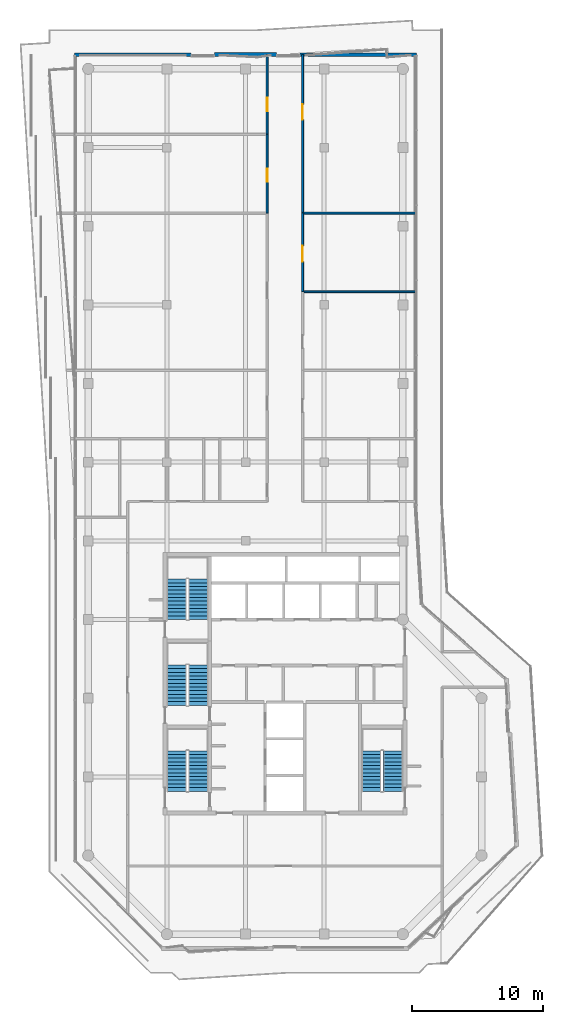
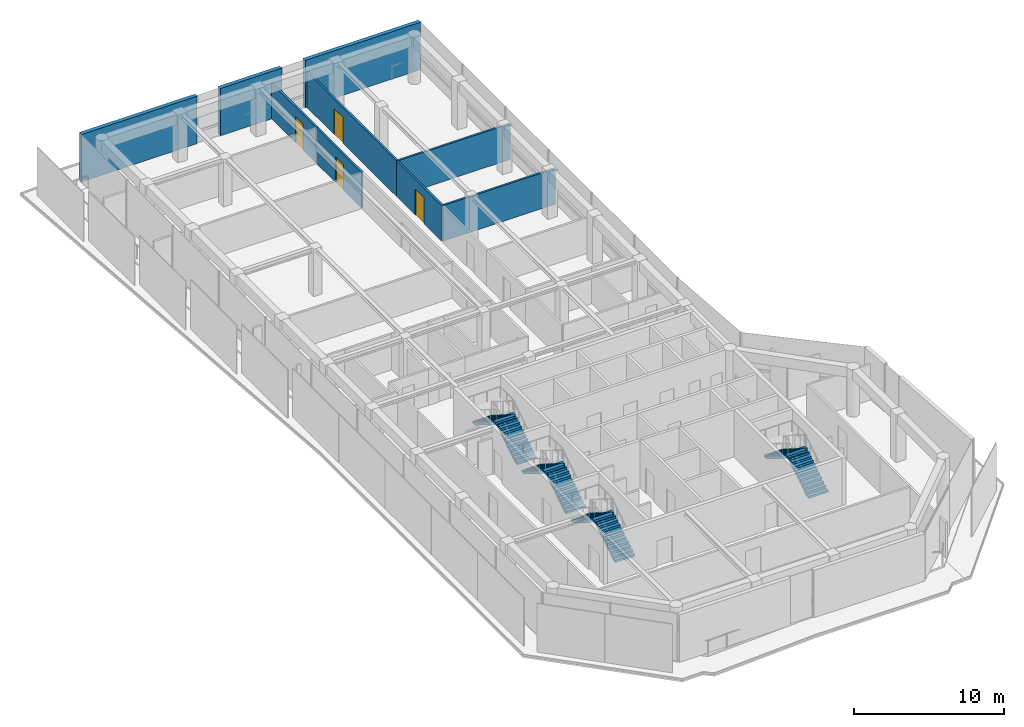
# One storey, part 19 of 21: 9 walls, 8 stair flights, 4 doors, 4 openings, 4 elements without a shape of their own.
"""IFC4 building model written with IfcOpenShell, lengths in metres."""

from ifc_helpers import new_model, si_unit, direction, frame, frame_2d, origin, place, context, subcontext, project, spatial, polyline, rectangle, outline, extrude, material, layer, layer_set, type_object, element, fill, aggregate, save


model = new_model("IFC4")

# Units and contexts
model_context = context("Model", 3, precision=1e-05, world=origin(), true_north=direction((0.0, 1.0)))
body_context = subcontext(model_context, "Body", "Model", "MODEL_VIEW")
ifc_project = project(units=[si_unit("LENGTHUNIT", "METRE"), si_unit("AREAUNIT", "SQUARE_METRE"), si_unit("VOLUMEUNIT", "CUBIC_METRE"), si_unit("PLANEANGLEUNIT", "RADIAN"), si_unit("MASSUNIT", "GRAM", prefix="KILO")], contexts=[model_context])

# Site, building, storey
site_placement = place(None, origin())
site = spatial("IfcSite", under=ifc_project, at=site_placement, CompositionType="ELEMENT")
building_placement = place(site_placement, origin())
building = spatial("IfcBuilding", under=site, at=building_placement, Name="Welwitschia Terrace Campus", CompositionType="ELEMENT")
storey_placement = place(building_placement, frame((0.0, 0.0, 302.0)))
storey = spatial("IfcBuildingStorey", under=building, at=storey_placement, Name="L67", CompositionType="ELEMENT", Elevation=302.0)

# Wall, opening, door
ifc_material_1 = material(Name="Gypsum board on steel studs", Category="steel")
ifc_layer_1 = layer(ifc_material_1, 0.14990234375)
ifc_layer_set_1 = layer_set([ifc_layer_1], Name="Gypsum board on steel studs")
wall_type_1 = type_object("IfcWallType", Name="Corridor partition 150 EI 30", PredefinedType="PARTITIONING", material=ifc_layer_set_1)
wall_1_placement = place(storey_placement, frame((13.64990234375, 51.0, 0.0), z_axis=(0.0, 0.0, 1.0), x_axis=(0.0, 1.0, 0.0)))
wall_1 = element("IfcWall", 1, at=wall_1_placement, inside=storey, type_object=wall_type_1, Name="Partition", PredefinedType="PARTITIONING", context=body_context, shape_type="SweptSolid", body=[
    extrude(rectangle(XDim=6.0, YDim=0.14990234375, at=frame_2d((3.0, 0.0))), origin(), (0.0, 0.0, 1.0), 2.89990234375),
])
opening_1_placement = place(wall_1_placement, frame((2.39990234375, 0.0, 0.0)))
opening_1 = element("IfcOpeningElement", 2, at=opening_1_placement, cuts=wall_1, Name="Opening DI10", PredefinedType="OPENING", context=body_context, shape_type="SweptSolid", body=[
    extrude(rectangle(XDim=1.0, YDim=2.10009765625, at=frame_2d((0.5, 1.050048828125))), frame((0.0, 0.0849609375, 0.0), z_axis=(0.0, -1.0, 0.0), x_axis=(1.0, 0.0, 0.0)), (0.0, 0.0, 1.0), 0.169921875),
])
ifc_material_2 = material(Name="Timber veneered door", Category="wood")
door_type_1 = type_object("IfcDoorType", Name="Interior door DI10", OperationType="NOTDEFINED", PredefinedType="DOOR", material=ifc_material_2)
door_1_placement = place(opening_1_placement, origin())
door_1 = element("IfcDoor", 3, at=door_1_placement, inside=storey, type_object=door_type_1, Name="Door L67 1190", OperationType="SINGLE_SWING_LEFT", OverallHeight=2.10009765625, OverallWidth=1.0, PredefinedType="DOOR", context=body_context, shape_type="SweptSolid", body=[
    extrude(rectangle(XDim=1.0, YDim=2.10009765625, at=frame_2d((0.5, 1.050048828125))), frame((0.0, 0.02490234375, 0.0), z_axis=(0.0, -1.0, 0.0), x_axis=(1.0, 0.0, 0.0)), (0.0, 0.0, 1.0), 0.050048828125),
])
fill(opening_1, door_1)

wall_2_placement = place(storey_placement, frame((13.64990234375, 57.0, 0.0), z_axis=(0.0, 0.0, 1.0), x_axis=(0.0, 1.0, 0.0)))
wall_2 = element("IfcWall", 4, at=wall_2_placement, inside=storey, type_object=wall_type_1, Name="Partition", PredefinedType="PARTITIONING", context=body_context, shape_type="SweptSolid", body=[
    extrude(rectangle(XDim=6.090087890625, YDim=0.14990234375, at=frame_2d((3.044921875, 0.0))), origin(), (0.0, 0.0, 1.0), 2.89990234375),
])
opening_2_placement = place(wall_2_placement, frame((1.780029296875, 0.0, 0.0)))
opening_2 = element("IfcOpeningElement", 5, at=opening_2_placement, cuts=wall_2, Name="Opening DI10", PredefinedType="OPENING", context=body_context, shape_type="SweptSolid", body=[
    extrude(rectangle(XDim=1.0, YDim=2.10009765625, at=frame_2d((0.5, 1.050048828125))), frame((0.0, 0.0849609375, 0.0), z_axis=(0.0, -1.0, 0.0), x_axis=(1.0, 0.0, 0.0)), (0.0, 0.0, 1.0), 0.169921875),
])
door_2_placement = place(opening_2_placement, origin())
door_2 = element("IfcDoor", 6, at=door_2_placement, inside=storey, type_object=door_type_1, Name="Door L67 1191", OperationType="SINGLE_SWING_RIGHT", OverallHeight=2.10009765625, OverallWidth=1.0, PredefinedType="DOOR", context=body_context, shape_type="SweptSolid", body=[
    extrude(rectangle(XDim=1.0, YDim=2.10009765625, at=frame_2d((0.5, 1.050048828125))), frame((0.0, 0.02490234375, 0.0), z_axis=(0.0, -1.0, 0.0), x_axis=(1.0, 0.0, 0.0)), (0.0, 0.0, 1.0), 0.050048828125),
])
fill(opening_2, door_2)

# Wall
wall_3_placement = place(storey_placement, frame((16.35009765625, 45.0, 0.0), z_axis=(0.0, 0.0, 1.0), x_axis=(1.0, 0.0, 0.0)))
element("IfcWall", 7, at=wall_3_placement, inside=storey, type_object=wall_type_1, Name="Partition", PredefinedType="PARTITIONING", context=body_context, shape_type="SweptSolid", body=[
    extrude(rectangle(XDim=8.6298828125, YDim=0.14990234375, at=frame_2d((4.31494140625, 0.0))), origin(), (0.0, 0.0, 1.0), 2.89990234375),
])

# Wall, opening, door
wall_4_placement = place(storey_placement, frame((16.35009765625, 51.0, 0.0), z_axis=(0.0, 0.0, 1.0), x_axis=(0.0, -1.0, 0.0)))
wall_4 = element("IfcWall", 8, at=wall_4_placement, inside=storey, type_object=wall_type_1, Name="Partition", PredefinedType="PARTITIONING", context=body_context, shape_type="SweptSolid", body=[
    extrude(rectangle(XDim=6.0, YDim=0.14990234375, at=frame_2d((3.0, 0.0))), origin(), (0.0, 0.0, 1.0), 2.89990234375),
])
opening_3_placement = place(wall_4_placement, frame((2.5, 0.0, 0.0)))
opening_3 = element("IfcOpeningElement", 9, at=opening_3_placement, cuts=wall_4, Name="Opening DI12", PredefinedType="OPENING", context=body_context, shape_type="SweptSolid", body=[
    extrude(rectangle(XDim=1.199951171875, YDim=2.10009765625, at=frame_2d((0.60009765625, 1.050048828125))), frame((0.0, 0.0849609375, 0.0), z_axis=(0.0, -1.0, 0.0), x_axis=(1.0, 0.0, 0.0)), (0.0, 0.0, 1.0), 0.169921875),
])
ifc_material_3 = material(Name="Timber veneered door", Category="wood")
door_type_2 = type_object("IfcDoorType", Name="Interior door DI12", OperationType="NOTDEFINED", PredefinedType="DOOR", material=ifc_material_3)
door_3_placement = place(opening_3_placement, origin())
door_3 = element("IfcDoor", 10, at=door_3_placement, inside=storey, type_object=door_type_2, Name="Door L67 1194", OperationType="SINGLE_SWING_LEFT", OverallHeight=2.10009765625, OverallWidth=1.199951171875, PredefinedType="DOOR", context=body_context, shape_type="SweptSolid", body=[
    extrude(rectangle(XDim=1.199951171875, YDim=2.10009765625, at=frame_2d((0.60009765625, 1.050048828125))), frame((0.0, 0.02490234375, 0.0), z_axis=(0.0, -1.0, 0.0), x_axis=(1.0, 0.0, 0.0)), (0.0, 0.0, 1.0), 0.050048828125),
])
fill(opening_3, door_3)

# Wall
wall_5_placement = place(storey_placement, frame((16.35009765625, 51.0, 0.0), z_axis=(0.0, 0.0, 1.0), x_axis=(1.0, 0.0, 0.0)))
element("IfcWall", 11, at=wall_5_placement, inside=storey, type_object=wall_type_1, Name="Partition", PredefinedType="PARTITIONING", context=body_context, shape_type="SweptSolid", body=[
    extrude(rectangle(XDim=8.6298828125, YDim=0.14990234375, at=frame_2d((4.31494140625, 0.0))), origin(), (0.0, 0.0, 1.0), 2.89990234375),
])

# Wall, opening, door
wall_6_placement = place(storey_placement, frame((16.35009765625, 63.090087890625, 0.0), z_axis=(0.0, 0.0, 1.0), x_axis=(0.0, -1.0, 0.0)))
wall_6 = element("IfcWall", 12, at=wall_6_placement, inside=storey, type_object=wall_type_1, Name="Partition", PredefinedType="PARTITIONING", context=body_context, shape_type="SweptSolid", body=[
    extrude(rectangle(XDim=12.090087890625, YDim=0.14990234375, at=frame_2d((6.044921875, 0.0))), origin(), (0.0, 0.0, 1.0), 2.89990234375),
])
opening_4_placement = place(wall_6_placement, frame((3.7900390625, 0.0, 0.0)))
opening_4 = element("IfcOpeningElement", 13, at=opening_4_placement, cuts=wall_6, Name="Opening DI12", PredefinedType="OPENING", context=body_context, shape_type="SweptSolid", body=[
    extrude(rectangle(XDim=1.199951171875, YDim=2.10009765625, at=frame_2d((0.60009765625, 1.050048828125))), frame((0.0, 0.0849609375, 0.0), z_axis=(0.0, -1.0, 0.0), x_axis=(1.0, 0.0, 0.0)), (0.0, 0.0, 1.0), 0.169921875),
])
door_4_placement = place(opening_4_placement, origin())
door_4 = element("IfcDoor", 14, at=door_4_placement, inside=storey, type_object=door_type_2, Name="Door L67 1195", OperationType="SINGLE_SWING_RIGHT", OverallHeight=2.10009765625, OverallWidth=1.199951171875, PredefinedType="DOOR", context=body_context, shape_type="SweptSolid", body=[
    extrude(rectangle(XDim=1.199951171875, YDim=2.10009765625, at=frame_2d((0.60009765625, 1.050048828125))), frame((0.0, 0.02490234375, 0.0), z_axis=(0.0, -1.0, 0.0), x_axis=(1.0, 0.0, 0.0)), (0.0, 0.0, 1.0), 0.050048828125),
])
fill(opening_4, door_4)

# Walls
ifc_material_4 = material(Name="Concrete C40/50", Category="concrete")
ifc_layer_2 = layer(ifc_material_4, 0.300048828125)
ifc_layer_set_2 = layer_set([ifc_layer_2], Name="Concrete C40/50")
wall_type_2 = type_object("IfcWallType", Name="Mass wall 300", PredefinedType="SOLIDWALL", material=ifc_layer_set_2)
wall_7_placement = place(storey_placement, frame((25.030029296875, 63.078125, 0.0), z_axis=(0.0, 0.0, 1.0), x_axis=(-1.0, 0.0, 0.0)))
element("IfcWall", 15, at=wall_7_placement, inside=storey, type_object=wall_type_2, Name="Mass wall L67.7.0", PredefinedType="SOLIDWALL", context=body_context, shape_type="SweptSolid", body=[
    extrude(rectangle(XDim=8.87255859375, YDim=0.300048828125, at=frame_2d((4.436279296875, 0.0))), origin(), (0.0, 0.0, 1.0), 3.85009765625),
])
wall_8_placement = place(storey_placement, frame((14.357421875, 63.080078125, 0.0), z_axis=(0.0, 0.0, 1.0), x_axis=(-1.0, 0.0, 0.0)))
element("IfcWall", 16, at=wall_8_placement, inside=storey, type_object=wall_type_2, Name="Mass wall L67.7.1", PredefinedType="SOLIDWALL", context=body_context, shape_type="SweptSolid", body=[
    extrude(rectangle(XDim=4.71484375, YDim=0.300048828125, at=frame_2d((2.357421875, 0.0))), origin(), (0.0, 0.0, 1.0), 3.85009765625),
])
wall_9_placement = place(storey_placement, frame((7.842529296875, 63.078125, 0.0), z_axis=(0.0, 0.0, 1.0), x_axis=(-1.0, 0.0, 0.0)))
element("IfcWall", 17, at=wall_9_placement, inside=storey, type_object=wall_type_2, Name="Mass wall L67.7.2", PredefinedType="SOLIDWALL", context=body_context, shape_type="SweptSolid", body=[
    extrude(rectangle(XDim=8.87255859375, YDim=0.300048828125, at=frame_2d((4.436279296875, 0.0))), origin(), (0.0, 0.0, 1.0), 3.85009765625),
])

# Stair, stair flights
ifc_material_5 = material(Name="Concrete C40/50", Category="concrete")
stair_type = type_object("IfcStairType", Name="Stair 24R 175 W1500", PredefinedType="HALF_TURN_STAIR", material=ifc_material_5)
stair_1_placement = place(storey_placement, origin())
stair_1 = element("IfcStair", 18, at=stair_1_placement, inside=storey, type_object=stair_type, Name="L67 Exit stair S1", PredefinedType="HALF_TURN_STAIR")
ifc_material_6 = material(Name="Concrete C40/50", Category="concrete")
stair_flight_type = type_object("IfcStairFlightType", Name="Stair flight 24R 175 W1500", PredefinedType="STRAIGHT", material=ifc_material_6)
stair_flight_1_placement = place(storey_placement, frame((8.39990234375, 6.89990234375, 0.0), z_axis=(0.0, 0.0, 1.0), x_axis=(0.0, 1.0, 0.0)))
stair_flight_1 = element("IfcStairFlight", 19, at=stair_flight_1_placement, type_object=stair_flight_type, Name="S1 flight 1", NumberOfRisers=12, NumberOfTreads=11, PredefinedType="STRAIGHT", RiserHeight=0.175, TreadLength=0.28, context=body_context, shape_type="SweptSolid", body=[
    extrude(outline(polyline([(0.0, 0.0), (0.0, 0.175048828125), (0.280029296875, 0.175048828125), (0.280029296875, 0.35009765625), (0.56005859375, 0.35009765625), (0.56005859375, 0.52490234375), (0.840087890625, 0.52490234375), (0.840087890625, 0.699951171875), (1.1201171875, 0.699951171875), (1.1201171875, 0.875), (1.39990234375, 0.875), (1.39990234375, 1.050048828125), (1.679931640625, 1.050048828125), (1.679931640625, 1.22509765625), (1.9599609375, 1.22509765625), (1.9599609375, 1.39990234375), (2.239990234375, 1.39990234375), (2.239990234375, 1.574951171875), (2.52001953125, 1.574951171875), (2.52001953125, 1.75), (2.800048828125, 1.75), (2.800048828125, 1.925048828125), (3.080078125, 1.925048828125), (3.080078125, 2.10009765625), (3.080078125, 1.748291015625), (0.28271484375, 0.0), (0.0, 0.0)])), frame((0.0, 0.75, 0.0), z_axis=(0.0, -1.0, 0.0), x_axis=(1.0, 0.0, 0.0)), (0.0, 0.0, 1.0), 1.5),
])
stair_flight_2_placement = place(storey_placement, frame((6.75, 9.97998046875, 2.10009765625), z_axis=(0.0, 0.0, 1.0), x_axis=(0.0, -1.0, 0.0)))
stair_flight_2 = element("IfcStairFlight", 20, at=stair_flight_2_placement, type_object=stair_flight_type, Name="S1 flight 2", NumberOfRisers=12, NumberOfTreads=11, PredefinedType="STRAIGHT", RiserHeight=0.175, TreadLength=0.28, context=body_context, shape_type="SweptSolid", body=[
    extrude(outline(polyline([(0.0, 0.0), (0.0, 0.175048828125), (0.280029296875, 0.175048828125), (0.280029296875, 0.35009765625), (0.56005859375, 0.35009765625), (0.56005859375, 0.52490234375), (0.840087890625, 0.52490234375), (0.840087890625, 0.699951171875), (1.1201171875, 0.699951171875), (1.1201171875, 0.875), (1.39990234375, 0.875), (1.39990234375, 1.050048828125), (1.679931640625, 1.050048828125), (1.679931640625, 1.22509765625), (1.9599609375, 1.22509765625), (1.9599609375, 1.39990234375), (2.239990234375, 1.39990234375), (2.239990234375, 1.574951171875), (2.52001953125, 1.574951171875), (2.52001953125, 1.75), (2.800048828125, 1.75), (2.800048828125, 1.925048828125), (3.080078125, 1.925048828125), (3.080078125, 2.10009765625), (3.080078125, 1.748291015625), (0.28271484375, 0.0), (0.0, 0.0)])), frame((0.0, 0.75, 0.0), z_axis=(0.0, -1.0, 0.0), x_axis=(1.0, 0.0, 0.0)), (0.0, 0.0, 1.0), 1.5),
])
aggregate(stair_1, [stair_flight_1, stair_flight_2])

stair_2_placement = place(storey_placement, origin())
stair_2 = element("IfcStair", 21, at=stair_2_placement, inside=storey, type_object=stair_type, Name="L67 Exit stair S3", PredefinedType="HALF_TURN_STAIR")
stair_flight_3_placement = place(storey_placement, frame((8.39990234375, 13.449951171875, 0.0), z_axis=(0.0, 0.0, 1.0), x_axis=(0.0, 1.0, 0.0)))
stair_flight_3 = element("IfcStairFlight", 22, at=stair_flight_3_placement, type_object=stair_flight_type, Name="S3 flight 1", NumberOfRisers=12, NumberOfTreads=11, PredefinedType="STRAIGHT", RiserHeight=0.175, TreadLength=0.28, context=body_context, shape_type="SweptSolid", body=[
    extrude(outline(polyline([(0.0, 0.0), (0.0, 0.175048828125), (0.280029296875, 0.175048828125), (0.280029296875, 0.35009765625), (0.56005859375, 0.35009765625), (0.56005859375, 0.52490234375), (0.840087890625, 0.52490234375), (0.840087890625, 0.699951171875), (1.1201171875, 0.699951171875), (1.1201171875, 0.875), (1.39990234375, 0.875), (1.39990234375, 1.050048828125), (1.679931640625, 1.050048828125), (1.679931640625, 1.22509765625), (1.9599609375, 1.22509765625), (1.9599609375, 1.39990234375), (2.239990234375, 1.39990234375), (2.239990234375, 1.574951171875), (2.52001953125, 1.574951171875), (2.52001953125, 1.75), (2.800048828125, 1.75), (2.800048828125, 1.925048828125), (3.080078125, 1.925048828125), (3.080078125, 2.10009765625), (3.080078125, 1.748291015625), (0.28271484375, 0.0), (0.0, 0.0)])), frame((0.0, 0.75, 0.0), z_axis=(0.0, -1.0, 0.0), x_axis=(1.0, 0.0, 0.0)), (0.0, 0.0, 1.0), 1.5),
])
stair_flight_4_placement = place(storey_placement, frame((6.75, 16.530029296875, 2.10009765625), z_axis=(0.0, 0.0, 1.0), x_axis=(0.0, -1.0, 0.0)))
stair_flight_4 = element("IfcStairFlight", 23, at=stair_flight_4_placement, type_object=stair_flight_type, Name="S3 flight 2", NumberOfRisers=12, NumberOfTreads=11, PredefinedType="STRAIGHT", RiserHeight=0.175, TreadLength=0.28, context=body_context, shape_type="SweptSolid", body=[
    extrude(outline(polyline([(0.0, 0.0), (0.0, 0.175048828125), (0.280029296875, 0.175048828125), (0.280029296875, 0.35009765625), (0.56005859375, 0.35009765625), (0.56005859375, 0.52490234375), (0.840087890625, 0.52490234375), (0.840087890625, 0.699951171875), (1.1201171875, 0.699951171875), (1.1201171875, 0.875), (1.39990234375, 0.875), (1.39990234375, 1.050048828125), (1.679931640625, 1.050048828125), (1.679931640625, 1.22509765625), (1.9599609375, 1.22509765625), (1.9599609375, 1.39990234375), (2.239990234375, 1.39990234375), (2.239990234375, 1.574951171875), (2.52001953125, 1.574951171875), (2.52001953125, 1.75), (2.800048828125, 1.75), (2.800048828125, 1.925048828125), (3.080078125, 1.925048828125), (3.080078125, 2.10009765625), (3.080078125, 1.748291015625), (0.28271484375, 0.0), (0.0, 0.0)])), frame((0.0, 0.75, 0.0), z_axis=(0.0, -1.0, 0.0), x_axis=(1.0, 0.0, 0.0)), (0.0, 0.0, 1.0), 1.5),
])
aggregate(stair_2, [stair_flight_3, stair_flight_4])

stair_3_placement = place(storey_placement, origin())
stair_3 = element("IfcStair", 24, at=stair_3_placement, inside=storey, type_object=stair_type, Name="L67 Exit stair S4", PredefinedType="HALF_TURN_STAIR")
stair_flight_5_placement = place(storey_placement, frame((8.39990234375, 20.0, 0.0), z_axis=(0.0, 0.0, 1.0), x_axis=(0.0, 1.0, 0.0)))
stair_flight_5 = element("IfcStairFlight", 25, at=stair_flight_5_placement, type_object=stair_flight_type, Name="S4 flight 1", NumberOfRisers=12, NumberOfTreads=11, PredefinedType="STRAIGHT", RiserHeight=0.175, TreadLength=0.28, context=body_context, shape_type="SweptSolid", body=[
    extrude(outline(polyline([(0.0, 0.0), (0.0, 0.175048828125), (0.280029296875, 0.175048828125), (0.280029296875, 0.35009765625), (0.56005859375, 0.35009765625), (0.56005859375, 0.52490234375), (0.840087890625, 0.52490234375), (0.840087890625, 0.699951171875), (1.1201171875, 0.699951171875), (1.1201171875, 0.875), (1.39990234375, 0.875), (1.39990234375, 1.050048828125), (1.679931640625, 1.050048828125), (1.679931640625, 1.22509765625), (1.9599609375, 1.22509765625), (1.9599609375, 1.39990234375), (2.239990234375, 1.39990234375), (2.239990234375, 1.574951171875), (2.52001953125, 1.574951171875), (2.52001953125, 1.75), (2.800048828125, 1.75), (2.800048828125, 1.925048828125), (3.080078125, 1.925048828125), (3.080078125, 2.10009765625), (3.080078125, 1.748291015625), (0.28271484375, 0.0), (0.0, 0.0)])), frame((0.0, 0.75, 0.0), z_axis=(0.0, -1.0, 0.0), x_axis=(1.0, 0.0, 0.0)), (0.0, 0.0, 1.0), 1.5),
])
stair_flight_6_placement = place(storey_placement, frame((6.75, 23.080078125, 2.10009765625), z_axis=(0.0, 0.0, 1.0), x_axis=(0.0, -1.0, 0.0)))
stair_flight_6 = element("IfcStairFlight", 26, at=stair_flight_6_placement, type_object=stair_flight_type, Name="S4 flight 2", NumberOfRisers=12, NumberOfTreads=11, PredefinedType="STRAIGHT", RiserHeight=0.175, TreadLength=0.28, context=body_context, shape_type="SweptSolid", body=[
    extrude(outline(polyline([(0.0, 0.0), (0.0, 0.175048828125), (0.280029296875, 0.175048828125), (0.280029296875, 0.35009765625), (0.56005859375, 0.35009765625), (0.56005859375, 0.52490234375), (0.840087890625, 0.52490234375), (0.840087890625, 0.699951171875), (1.1201171875, 0.699951171875), (1.1201171875, 0.875), (1.39990234375, 0.875), (1.39990234375, 1.050048828125), (1.679931640625, 1.050048828125), (1.679931640625, 1.22509765625), (1.9599609375, 1.22509765625), (1.9599609375, 1.39990234375), (2.239990234375, 1.39990234375), (2.239990234375, 1.574951171875), (2.52001953125, 1.574951171875), (2.52001953125, 1.75), (2.800048828125, 1.75), (2.800048828125, 1.925048828125), (3.080078125, 1.925048828125), (3.080078125, 2.10009765625), (3.080078125, 1.748291015625), (0.28271484375, 0.0), (0.0, 0.0)])), frame((0.0, 0.75, 0.0), z_axis=(0.0, -1.0, 0.0), x_axis=(1.0, 0.0, 0.0)), (0.0, 0.0, 1.0), 1.5),
])
aggregate(stair_3, [stair_flight_5, stair_flight_6])

stair_4_placement = place(storey_placement, origin())
stair_4 = element("IfcStair", 27, at=stair_4_placement, inside=storey, type_object=stair_type, Name="L67 Exit stair S2", PredefinedType="HALF_TURN_STAIR")
stair_flight_7_placement = place(storey_placement, frame((23.25, 6.89990234375, 0.0), z_axis=(0.0, 0.0, 1.0), x_axis=(0.0, 1.0, 0.0)))
stair_flight_7 = element("IfcStairFlight", 28, at=stair_flight_7_placement, type_object=stair_flight_type, Name="S2 flight 1", NumberOfRisers=12, NumberOfTreads=11, PredefinedType="STRAIGHT", RiserHeight=0.175, TreadLength=0.28, context=body_context, shape_type="SweptSolid", body=[
    extrude(outline(polyline([(0.0, 0.0), (0.0, 0.175048828125), (0.280029296875, 0.175048828125), (0.280029296875, 0.35009765625), (0.56005859375, 0.35009765625), (0.56005859375, 0.52490234375), (0.840087890625, 0.52490234375), (0.840087890625, 0.699951171875), (1.1201171875, 0.699951171875), (1.1201171875, 0.875), (1.39990234375, 0.875), (1.39990234375, 1.050048828125), (1.679931640625, 1.050048828125), (1.679931640625, 1.22509765625), (1.9599609375, 1.22509765625), (1.9599609375, 1.39990234375), (2.239990234375, 1.39990234375), (2.239990234375, 1.574951171875), (2.52001953125, 1.574951171875), (2.52001953125, 1.75), (2.800048828125, 1.75), (2.800048828125, 1.925048828125), (3.080078125, 1.925048828125), (3.080078125, 2.10009765625), (3.080078125, 1.748291015625), (0.28271484375, 0.0), (0.0, 0.0)])), frame((0.0, 0.75, 0.0), z_axis=(0.0, -1.0, 0.0), x_axis=(1.0, 0.0, 0.0)), (0.0, 0.0, 1.0), 1.5),
])
stair_flight_8_placement = place(storey_placement, frame((21.60009765625, 9.97998046875, 2.10009765625), z_axis=(0.0, 0.0, 1.0), x_axis=(0.0, -1.0, 0.0)))
stair_flight_8 = element("IfcStairFlight", 29, at=stair_flight_8_placement, type_object=stair_flight_type, Name="S2 flight 2", NumberOfRisers=12, NumberOfTreads=11, PredefinedType="STRAIGHT", RiserHeight=0.175, TreadLength=0.28, context=body_context, shape_type="SweptSolid", body=[
    extrude(outline(polyline([(0.0, 0.0), (0.0, 0.175048828125), (0.280029296875, 0.175048828125), (0.280029296875, 0.35009765625), (0.56005859375, 0.35009765625), (0.56005859375, 0.52490234375), (0.840087890625, 0.52490234375), (0.840087890625, 0.699951171875), (1.1201171875, 0.699951171875), (1.1201171875, 0.875), (1.39990234375, 0.875), (1.39990234375, 1.050048828125), (1.679931640625, 1.050048828125), (1.679931640625, 1.22509765625), (1.9599609375, 1.22509765625), (1.9599609375, 1.39990234375), (2.239990234375, 1.39990234375), (2.239990234375, 1.574951171875), (2.52001953125, 1.574951171875), (2.52001953125, 1.75), (2.800048828125, 1.75), (2.800048828125, 1.925048828125), (3.080078125, 1.925048828125), (3.080078125, 2.10009765625), (3.080078125, 1.748291015625), (0.28271484375, 0.0), (0.0, 0.0)])), frame((0.0, 0.75, 0.0), z_axis=(0.0, -1.0, 0.0), x_axis=(1.0, 0.0, 0.0)), (0.0, 0.0, 1.0), 1.5),
])
aggregate(stair_4, [stair_flight_7, stair_flight_8])

save(model, "model.ifc")
